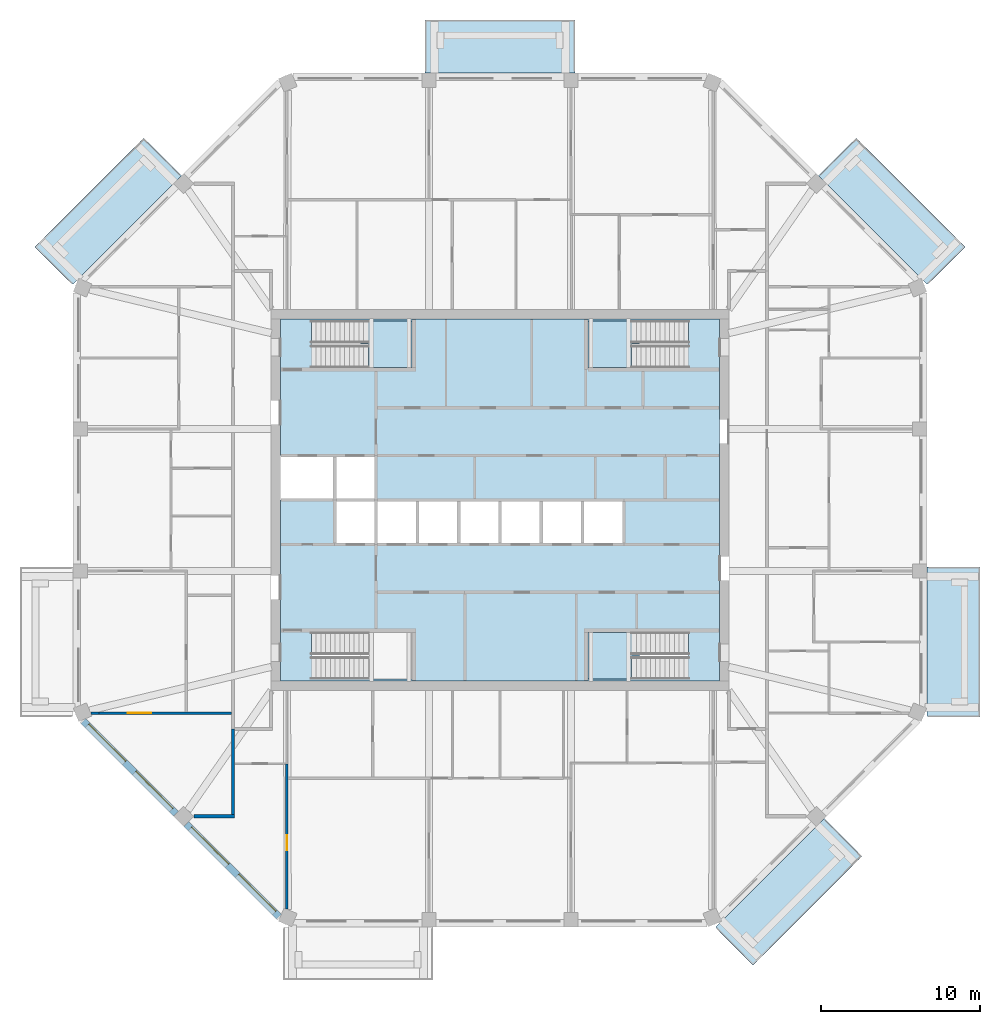
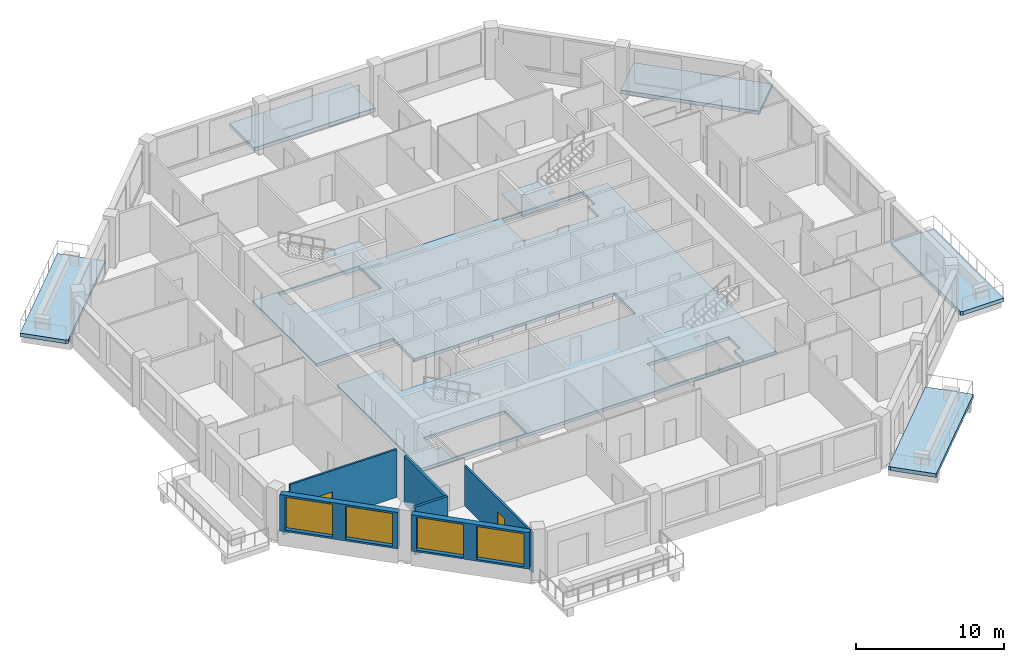
# One storey, part 2 of 11: 9 slabs, 7 walls, 4 windows, 2 doors, 6 openings, 3 elements without a shape of their own.
"""IFC4 building model written with IfcOpenShell, lengths in metres."""

from ifc_helpers import new_model, si_unit, direction, frame, frame_2d, origin, place, context, subcontext, project, spatial, polyline, rectangle, outline, extrude, material, layer, layer_set, type_object, element, fill, aggregate, save


model = new_model("IFC4")

# Units and contexts
model_context = context("Model", 3, precision=1e-05, world=origin(), true_north=direction((0.0, 1.0)))
body_context = subcontext(model_context, "Body", "Model", "MODEL_VIEW")
ifc_project = project(units=[si_unit("LENGTHUNIT", "METRE"), si_unit("AREAUNIT", "SQUARE_METRE"), si_unit("VOLUMEUNIT", "CUBIC_METRE"), si_unit("PLANEANGLEUNIT", "RADIAN"), si_unit("MASSUNIT", "GRAM", prefix="KILO")], contexts=[model_context])

# Site, building, storey
site_placement = place(None, origin())
site = spatial("IfcSite", under=ifc_project, at=site_placement, CompositionType="ELEMENT")
building_placement = place(site_placement, origin())
building = spatial("IfcBuilding", under=site, at=building_placement, Name="Msitu Wima Residences", CompositionType="ELEMENT")
storey_placement = place(building_placement, frame((0.0, 0.0, 297.89990234375)))
storey = spatial("IfcBuildingStorey", under=building, at=storey_placement, Name="L69", CompositionType="ELEMENT", Elevation=297.89990234375)

# Slabs
ifc_material_1 = material(Name="Concrete C40/50", Category="concrete")
ifc_layer_1 = layer(ifc_material_1, 0.300048828125)
ifc_layer_set_1 = layer_set([ifc_layer_1], Name="Concrete C40/50")
slab_type_1 = type_object("IfcSlabType", Name="Balcony slab BS300", PredefinedType="FLOOR", material=ifc_layer_set_1)
slab_1_placement = place(storey_placement, frame((0.0, 0.0, -0.2998046875)))
element("IfcSlab", 1, at=slab_1_placement, inside=storey, type_object=slab_type_1, Name="Balcony E0 L69", PredefinedType="FLOOR", context=body_context, shape_type="SweptSolid", body=[
    extrude(outline(polyline([(26.85009765625, -13.105224609375), (26.85009765625, -13.105224609375), (26.85009765625, -4.918701171875), (26.85009765625, -4.21875), (30.199951171875, -4.21875), (30.199951171875, -13.656005859375), (27.003662109375, -13.656005859375), (26.85009765625, -13.59228515625), (26.85009765625, -13.105224609375), (26.85009765625, -13.105224609375)])), origin(), (0.0, 0.0, 1.0), 0.2998046875),
])
slab_2_placement = place(storey_placement, frame((0.0, 0.0, -0.2998046875)))
element("IfcSlab", 2, at=slab_2_placement, inside=storey, type_object=slab_type_1, Name="Balcony NE0 L69", PredefinedType="FLOOR", context=body_context, shape_type="SweptSolid", body=[
    extrude(outline(polyline([(26.505615234375, 13.936767578125), (26.505615234375, 13.936767578125), (20.04443359375, 20.39794921875), (22.4130859375, 22.766845703125), (29.263671875, 15.916015625), (27.003662109375, 13.656005859375), (26.85009765625, 13.59228515625), (26.505615234375, 13.936767578125), (26.505615234375, 13.936767578125)])), origin(), (0.0, 0.0, 1.0), 0.2998046875),
])
slab_3_placement = place(storey_placement, frame((0.0, 0.0, -0.2998046875)))
element("IfcSlab", 3, at=slab_3_placement, inside=storey, type_object=slab_type_1, Name="Balcony N1 L69", PredefinedType="FLOOR", context=body_context, shape_type="SweptSolid", body=[
    extrude(outline(polyline([(4.0185546875, 26.85009765625), (-4.0185546875, 26.85009765625), (-4.71875, 26.85009765625), (-4.71875, 30.199951171875), (4.71875, 30.199951171875), (4.71875, 26.85009765625), (4.0185546875, 26.85009765625)])), origin(), (0.0, 0.0, 1.0), 0.2998046875),
])
slab_4_placement = place(storey_placement, frame((0.0, 0.0, -0.2998046875)))
element("IfcSlab", 4, at=slab_4_placement, inside=storey, type_object=slab_type_1, Name="Balcony NW1 L69", PredefinedType="FLOOR", context=body_context, shape_type="SweptSolid", body=[
    extrude(outline(polyline([(-26.505615234375, 13.936767578125), (-26.505615234375, 13.936767578125), (-26.85009765625, 13.59228515625), (-27.003662109375, 13.656005859375), (-29.263671875, 15.916015625), (-22.4130859375, 22.766845703125), (-20.04443359375, 20.39794921875), (-26.505615234375, 13.936767578125), (-26.505615234375, 13.936767578125)])), origin(), (0.0, 0.0, 1.0), 0.2998046875),
])
slab_5_placement = place(storey_placement, frame((0.0, 0.0, -0.2998046875)))
element("IfcSlab", 5, at=slab_5_placement, inside=storey, type_object=slab_type_1, Name="Balcony SE0 L69", PredefinedType="FLOOR", context=body_context, shape_type="SweptSolid", body=[
    extrude(outline(polyline([(13.936767578125, -26.505615234375), (13.936767578125, -26.505615234375), (20.39794921875, -20.04443359375), (22.766845703125, -22.4130859375), (15.916015625, -29.263671875), (13.656005859375, -27.003662109375), (13.59228515625, -26.85009765625), (13.936767578125, -26.505615234375), (13.936767578125, -26.505615234375)])), origin(), (0.0, 0.0, 1.0), 0.2998046875),
])
ifc_layer_2 = layer(ifc_material_1, 0.25)
ifc_layer_set_2 = layer_set([ifc_layer_2], Name="Concrete C40/50")
slab_type_2 = type_object("IfcSlabType", Name="Core floor CF250", PredefinedType="FLOOR", material=ifc_layer_set_2)
slab_6_placement = place(storey_placement, frame((0.0, 0.0, -0.25)))
element("IfcSlab", 6, at=slab_6_placement, inside=storey, type_object=slab_type_2, Name="Core floor", PredefinedType="FLOOR", context=body_context, shape_type="SweptSolid", body=[
    extrude(outline(polyline([(-13.800048828125, 11.39990234375), (-13.800048828125, 2.800048828125), (-10.39990234375, 2.800048828125), (-7.800048828125, 2.800048828125), (-7.800048828125, 0.0), (-5.199951171875, 0.0), (-2.60009765625, 0.0), (0.0, 0.0), (2.60009765625, 0.0), (5.199951171875, 0.0), (7.800048828125, 0.0), (7.800048828125, -2.800048828125), (5.199951171875, -2.800048828125), (2.60009765625, -2.800048828125), (0.0, -2.800048828125), (-2.60009765625, -2.800048828125), (-5.199951171875, -2.800048828125), (-7.800048828125, -2.800048828125), (-10.39990234375, -2.800048828125), (-10.39990234375, 0.0), (-13.800048828125, 0.0), (-13.800048828125, -11.39990234375), (13.800048828125, -11.39990234375), (13.800048828125, 11.39990234375), (-13.800048828125, 11.39990234375)]), holes=[polyline([(-11.375, -11.27490234375), (-11.375, -9.875), (-11.87451171875, -9.875), (-11.87451171875, -8.324951171875), (-5.52490234375, -8.324951171875), (-5.52490234375, -11.27490234375), (-11.375, -11.27490234375)]), polyline([(-11.375, 8.324951171875), (-11.375, 9.72509765625), (-11.87451171875, 9.72509765625), (-11.87451171875, 11.27490234375), (-5.52490234375, 11.27490234375), (-5.52490234375, 8.324951171875), (-11.375, 8.324951171875)]), polyline([(11.375, -9.875), (11.375, -11.27490234375), (5.52490234375, -11.27490234375), (5.52490234375, -8.324951171875), (11.87451171875, -8.324951171875), (11.87451171875, -9.875), (11.375, -9.875)]), polyline([(11.375, 9.72509765625), (11.375, 8.324951171875), (5.52490234375, 8.324951171875), (5.52490234375, 11.27490234375), (11.87451171875, 11.27490234375), (11.87451171875, 9.72509765625), (11.375, 9.72509765625)])]), origin(), (0.0, 0.0, 1.0), 0.25),
])

# Stair, slab
stair_type = type_object("IfcStairType", Name="Exit stair ES1615-140", PredefinedType="HALF_TURN_STAIR", material=ifc_material_1)
stair_1_placement = place(storey_placement, origin())
stair_1 = element("IfcStair", 7, at=stair_1_placement, inside=storey, type_object=stair_type, Name="Exit stair 1", PredefinedType="HALF_TURN_STAIR")
ifc_layer_3 = layer(ifc_material_1, 0.199951171875)
ifc_layer_set_3 = layer_set([ifc_layer_3], Name="Concrete C40/50")
slab_type_3 = type_object("IfcSlabType", Name="Stair landing SL200", PredefinedType="LANDING", material=ifc_layer_set_3)
slab_7_placement = place(storey_placement, frame((0.0, 0.0, 1.900146484375)))
slab_7 = element("IfcSlab", 8, at=slab_7_placement, type_object=slab_type_3, Name="S1 landing 1", PredefinedType="LANDING", context=body_context, shape_type="SweptSolid", body=[
    extrude(outline(polyline([(-5.52490234375, 8.324951171875), (-8.275390625, 8.324951171875), (-8.275390625, 9.800048828125), (-8.77490234375, 9.800048828125), (-8.77490234375, 11.27490234375), (-5.52490234375, 11.27490234375), (-5.52490234375, 8.324951171875)])), origin(), (0.0, 0.0, 1.0), 0.199951171875),
])
aggregate(stair_1, [slab_7])

stair_2_placement = place(storey_placement, origin())
stair_2 = element("IfcStair", 9, at=stair_2_placement, inside=storey, type_object=stair_type, Name="Exit stair 3", PredefinedType="HALF_TURN_STAIR")
slab_8_placement = place(storey_placement, frame((0.0, 0.0, 1.900146484375)))
slab_8 = element("IfcSlab", 10, at=slab_8_placement, type_object=slab_type_3, Name="S3 landing 1", PredefinedType="LANDING", context=body_context, shape_type="SweptSolid", body=[
    extrude(outline(polyline([(5.52490234375, 8.324951171875), (8.275390625, 8.324951171875), (8.275390625, 9.800048828125), (8.77490234375, 9.800048828125), (8.77490234375, 11.27490234375), (5.52490234375, 11.27490234375), (5.52490234375, 8.324951171875)])), origin(), (0.0, 0.0, 1.0), 0.199951171875),
])
aggregate(stair_2, [slab_8])

stair_3_placement = place(storey_placement, origin())
stair_3 = element("IfcStair", 11, at=stair_3_placement, inside=storey, type_object=stair_type, Name="Exit stair 4", PredefinedType="HALF_TURN_STAIR")
slab_9_placement = place(storey_placement, frame((0.0, 0.0, 1.900146484375)))
slab_9 = element("IfcSlab", 12, at=slab_9_placement, type_object=slab_type_3, Name="S4 landing 1", PredefinedType="LANDING", context=body_context, shape_type="SweptSolid", body=[
    extrude(outline(polyline([(5.52490234375, -11.27490234375), (8.275390625, -11.27490234375), (8.275390625, -9.800048828125), (8.77490234375, -9.800048828125), (8.77490234375, -8.324951171875), (5.52490234375, -8.324951171875), (5.52490234375, -11.27490234375)])), origin(), (0.0, 0.0, 1.0), 0.199951171875),
])
aggregate(stair_3, [slab_9])

# Wall, openings, windows
ifc_material_2 = material(Name="Brick (red buff mix)", Category="masonry")
ifc_layer_4 = layer(ifc_material_2, 0.449951171875)
ifc_layer_set_4 = layer_set([ifc_layer_4], Name="Brick (red buff mix)")
wall_type_1 = type_object("IfcWallType", Name="Brick infill wall BW450", PredefinedType="SOLIDWALL", material=ifc_layer_set_4)
wall_1_placement = place(storey_placement, frame((-26.214599609375, -13.909423828125, 0.900146484375), z_axis=(0.0, 0.0, 1.0), x_axis=(0.707106781187, -0.707106781187, 0.0)))
wall_1 = element("IfcWall", 13, at=wall_1_placement, inside=storey, type_object=wall_type_1, Name="Brick infill wall L69 SW0", PredefinedType="SOLIDWALL", context=body_context, shape_type="SweptSolid", body=[
    extrude(rectangle(XDim=8.251220703125, YDim=0.449951171875, at=frame_2d((4.12548828125, 0.0))), origin(), (0.0, 0.0, 1.0), 3.0),
])
opening_1_placement = place(wall_1_placement, frame((0.37548828125, 0.0, 0.14990234375)))
opening_1 = element("IfcOpeningElement", 14, at=opening_1_placement, cuts=wall_1, Name="Opening W68-70.025", PredefinedType="OPENING", context=body_context, shape_type="SweptSolid", body=[
    extrude(rectangle(XDim=3.300048828125, YDim=2.699951171875, at=frame_2d((1.64990234375, 1.35009765625))), frame((0.0, 0.23486328125, 0.0), z_axis=(0.0, -1.0, 0.0), x_axis=(1.0, 0.0, 0.0)), (0.0, 0.0, 1.0), 0.469970703125),
])
opening_2_placement = place(wall_1_placement, frame((4.57568359375, 0.0, 0.14990234375)))
opening_2 = element("IfcOpeningElement", 15, at=opening_2_placement, cuts=wall_1, Name="Opening W68-70.026", PredefinedType="OPENING", context=body_context, shape_type="SweptSolid", body=[
    extrude(rectangle(XDim=3.300048828125, YDim=2.699951171875, at=frame_2d((1.64990234375, 1.35009765625))), frame((0.0, 0.23486328125, 0.0), z_axis=(0.0, -1.0, 0.0), x_axis=(1.0, 0.0, 0.0)), (0.0, 0.0, 1.0), 0.469970703125),
])
ifc_material_3 = material(Name="Anodised aluminium, bronze finish, clear low-emissivity double glazing", Category="aluminium")
window_type = type_object("IfcWindowType", Name="Window W3300x2700", PartitioningType="DOUBLE_PANEL_VERTICAL", PredefinedType="WINDOW", material=ifc_material_3)
window_1_placement = place(opening_1_placement, origin())
window_1 = element("IfcWindow", 16, at=window_1_placement, inside=storey, type_object=window_type, Name="Window L69 SW0.1", OverallHeight=2.699951171875, OverallWidth=3.300048828125, PartitioningType="SINGLE_PANEL", PredefinedType="WINDOW", context=body_context, shape_type="SweptSolid", body=[
    extrude(rectangle(XDim=3.300048828125, YDim=2.699951171875, at=frame_2d((1.64990234375, 1.35009765625))), frame((0.0, 0.135009765625, 0.0), z_axis=(0.0, -1.0, 0.0), x_axis=(1.0, 0.0, 0.0)), (0.0, 0.0, 1.0), 0.06005859375),
])
fill(opening_1, window_1)
window_2_placement = place(opening_2_placement, origin())
window_2 = element("IfcWindow", 17, at=window_2_placement, inside=storey, type_object=window_type, Name="Window L69 SW0.2", OverallHeight=2.699951171875, OverallWidth=3.300048828125, PartitioningType="SINGLE_PANEL", PredefinedType="WINDOW", context=body_context, shape_type="SweptSolid", body=[
    extrude(rectangle(XDim=3.300048828125, YDim=2.699951171875, at=frame_2d((1.64990234375, 1.35009765625))), frame((0.0, 0.135009765625, 0.0), z_axis=(0.0, -1.0, 0.0), x_axis=(1.0, 0.0, 0.0)), (0.0, 0.0, 1.0), 0.06005859375),
])
fill(opening_2, window_2)

wall_2_placement = place(storey_placement, frame((-19.743896484375, -20.380126953125, 0.900146484375), z_axis=(0.0, 0.0, 1.0), x_axis=(0.707106781187, -0.707106781187, 0.0)))
wall_2 = element("IfcWall", 18, at=wall_2_placement, inside=storey, type_object=wall_type_1, Name="Brick infill wall L69 SW1", PredefinedType="SOLIDWALL", context=body_context, shape_type="SweptSolid", body=[
    extrude(rectangle(XDim=8.251220703125, YDim=0.449951171875, at=frame_2d((4.12548828125, 0.0))), origin(), (0.0, 0.0, 1.0), 3.0),
])
opening_3_placement = place(wall_2_placement, frame((0.37548828125, 0.0, 0.14990234375)))
opening_3 = element("IfcOpeningElement", 19, at=opening_3_placement, cuts=wall_2, Name="Opening W68-70.027", PredefinedType="OPENING", context=body_context, shape_type="SweptSolid", body=[
    extrude(rectangle(XDim=3.300048828125, YDim=2.699951171875, at=frame_2d((1.64990234375, 1.35009765625))), frame((0.0, 0.23486328125, 0.0), z_axis=(0.0, -1.0, 0.0), x_axis=(1.0, 0.0, 0.0)), (0.0, 0.0, 1.0), 0.469970703125),
])
opening_4_placement = place(wall_2_placement, frame((4.57568359375, 0.0, 0.14990234375)))
opening_4 = element("IfcOpeningElement", 20, at=opening_4_placement, cuts=wall_2, Name="Opening W68-70.028", PredefinedType="OPENING", context=body_context, shape_type="SweptSolid", body=[
    extrude(rectangle(XDim=3.300048828125, YDim=2.699951171875, at=frame_2d((1.64990234375, 1.35009765625))), frame((0.0, 0.23486328125, 0.0), z_axis=(0.0, -1.0, 0.0), x_axis=(1.0, 0.0, 0.0)), (0.0, 0.0, 1.0), 0.469970703125),
])
window_3_placement = place(opening_3_placement, origin())
window_3 = element("IfcWindow", 21, at=window_3_placement, inside=storey, type_object=window_type, Name="Window L69 SW1.1", OverallHeight=2.699951171875, OverallWidth=3.300048828125, PartitioningType="SINGLE_PANEL", PredefinedType="WINDOW", context=body_context, shape_type="SweptSolid", body=[
    extrude(rectangle(XDim=3.300048828125, YDim=2.699951171875, at=frame_2d((1.64990234375, 1.35009765625))), frame((0.0, 0.135009765625, 0.0), z_axis=(0.0, -1.0, 0.0), x_axis=(1.0, 0.0, 0.0)), (0.0, 0.0, 1.0), 0.06005859375),
])
fill(opening_3, window_3)
window_4_placement = place(opening_4_placement, origin())
window_4 = element("IfcWindow", 22, at=window_4_placement, inside=storey, type_object=window_type, Name="Window L69 SW1.2", OverallHeight=2.699951171875, OverallWidth=3.300048828125, PartitioningType="SINGLE_PANEL", PredefinedType="WINDOW", context=body_context, shape_type="SweptSolid", body=[
    extrude(rectangle(XDim=3.300048828125, YDim=2.699951171875, at=frame_2d((1.64990234375, 1.35009765625))), frame((0.0, 0.135009765625, 0.0), z_axis=(0.0, -1.0, 0.0), x_axis=(1.0, 0.0, 0.0)), (0.0, 0.0, 1.0), 0.06005859375),
])
fill(opening_4, window_4)

# Wall
ifc_material_4 = material(Name="Plaster")
ifc_layer_5 = layer(ifc_material_4, 0.011962890625, Name="Plaster")
ifc_material_5 = material(Name="Concrete blockwork", Category="masonry")
ifc_layer_6 = layer(ifc_material_5, 0.1259765625, Name="Concrete blockwork")
ifc_layer_7 = layer(ifc_material_4, 0.011962890625, Name="Plaster")
ifc_layer_set_5 = layer_set([ifc_layer_5, ifc_layer_6, ifc_layer_7], Name="Concrete blockwork")
wall_type_2 = type_object("IfcWallType", Name="Partition PW150", PredefinedType="PARTITIONING", material=ifc_layer_set_5)
wall_3_placement = place(storey_placement, frame((-25.731201171875, -13.406005859375, 0.0), z_axis=(0.0, 0.0, 1.0), x_axis=(1.0, 0.0, 0.0)))
element("IfcWall", 23, at=wall_3_placement, inside=storey, type_object=wall_type_2, Name="Partition", PredefinedType="PARTITIONING", context=body_context, shape_type="SweptSolid", body=[
    extrude(rectangle(XDim=0.507080078125, YDim=0.14990234375, at=frame_2d((0.25341796875, 0.0))), origin(), (0.0, 0.0, 1.0), 3.35009765625),
])

# Wall, opening, door
wall_4_placement = place(storey_placement, frame((-25.22412109375, -13.406005859375, 0.0), z_axis=(0.0, 0.0, 1.0), x_axis=(1.0, 0.0, 0.0)))
wall_4 = element("IfcWall", 24, at=wall_4_placement, inside=storey, type_object=wall_type_2, Name="Partition", PredefinedType="PARTITIONING", context=body_context, shape_type="SweptSolid", body=[
    extrude(rectangle(XDim=8.32421875, YDim=0.14990234375, at=frame_2d((4.162109375, 0.0))), origin(), (0.0, 0.0, 1.0), 3.9501953125),
])
opening_5_placement = place(wall_4_placement, frame((1.79296875, 0.0, 0.0)))
opening_5 = element("IfcOpeningElement", 25, at=opening_5_placement, cuts=wall_4, Name="Opening D68-70.041", PredefinedType="OPENING", context=body_context, shape_type="SweptSolid", body=[
    extrude(rectangle(XDim=1.5, YDim=2.199951171875, at=frame_2d((0.75, 1.10009765625))), frame((0.0, 0.0849609375, 0.0), z_axis=(0.0, -1.0, 0.0), x_axis=(1.0, 0.0, 0.0)), (0.0, 0.0, 1.0), 0.169921875),
])
ifc_material_6 = material(Name="Timber double door", Category="wood")
door_type_1 = type_object("IfcDoorType", Name="Double door D04 1500x2200", OperationType="DOUBLE_DOOR_SINGLE_SWING", PredefinedType="DOOR", material=ifc_material_6)
door_1_placement = place(opening_5_placement, origin())
door_1 = element("IfcDoor", 26, at=door_1_placement, inside=storey, type_object=door_type_1, Name="Double door", OperationType="DOUBLE_DOOR_SINGLE_SWING", OverallHeight=2.199951171875, OverallWidth=1.5, PredefinedType="DOOR", context=body_context, shape_type="SweptSolid", body=[
    extrude(rectangle(XDim=1.5, YDim=2.199951171875, at=frame_2d((0.75, 1.10009765625))), frame((0.0, 0.02490234375, 0.0), z_axis=(0.0, -1.0, 0.0), x_axis=(1.0, 0.0, 0.0)), (0.0, 0.0, 1.0), 0.050048828125),
])
fill(opening_5, door_1)

wall_5_placement = place(storey_placement, frame((-13.406005859375, -25.731201171875, 0.0), z_axis=(0.0, 0.0, 1.0), x_axis=(0.0, 1.0, 0.0)))
wall_5 = element("IfcWall", 27, at=wall_5_placement, inside=storey, type_object=wall_type_2, Name="Partition", PredefinedType="PARTITIONING", context=body_context, shape_type="SweptSolid", body=[
    extrude(rectangle(XDim=9.131103515625, YDim=0.14990234375, at=frame_2d((4.5654296875, 0.0))), origin(), (0.0, 0.0, 1.0), 3.300048828125),
])
opening_6_placement = place(wall_5_placement, frame((3.699951171875, 0.0, 0.0)))
opening_6 = element("IfcOpeningElement", 28, at=opening_6_placement, cuts=wall_5, Name="Opening D68-70.046", PredefinedType="OPENING", context=body_context, shape_type="SweptSolid", body=[
    extrude(rectangle(XDim=0.949951171875, YDim=2.199951171875, at=frame_2d((0.47509765625, 1.10009765625))), frame((0.0, 0.0849609375, 0.0), z_axis=(0.0, -1.0, 0.0), x_axis=(1.0, 0.0, 0.0)), (0.0, 0.0, 1.0), 0.169921875),
])
ifc_material_7 = material(Name="Timber flush door", Category="wood")
door_type_2 = type_object("IfcDoorType", Name="Room door D12 950x2200", OperationType="SINGLE_SWING_LEFT", PredefinedType="DOOR", material=ifc_material_7)
door_2_placement = place(opening_6_placement, origin())
door_2 = element("IfcDoor", 29, at=door_2_placement, inside=storey, type_object=door_type_2, Name="Room door", OperationType="SINGLE_SWING_RIGHT", OverallHeight=2.199951171875, OverallWidth=0.949951171875, PredefinedType="DOOR", context=body_context, shape_type="SweptSolid", body=[
    extrude(rectangle(XDim=0.949951171875, YDim=2.199951171875, at=frame_2d((0.47509765625, 1.10009765625))), frame((0.0, 0.02490234375, 0.0), z_axis=(0.0, -1.0, 0.0), x_axis=(1.0, 0.0, 0.0)), (0.0, 0.0, 1.0), 0.050048828125),
])
fill(opening_6, door_2)

# Walls
ifc_layer_8 = layer(ifc_material_4, 0.011962890625, Name="Plaster")
ifc_material_8 = material(Name="Dense concrete blockwork", Category="masonry")
ifc_layer_9 = layer(ifc_material_8, 0.176025390625, Name="Dense concrete blockwork")
ifc_layer_10 = layer(ifc_material_4, 0.011962890625, Name="Plaster")
ifc_layer_set_6 = layer_set([ifc_layer_8, ifc_layer_9, ifc_layer_10], Name="Dense concrete blockwork")
wall_type_3 = type_object("IfcWallType", Name="Party wall PW200", PredefinedType="PARTITIONING", material=ifc_layer_set_6)
wall_6_placement = place(storey_placement, frame((-19.2666015625, -19.90283203125, 0.0), z_axis=(0.0, 0.0, 1.0), x_axis=(1.0, 0.0, 0.0)))
element("IfcWall", 30, at=wall_6_placement, inside=storey, type_object=wall_type_3, Name="Party wall", PredefinedType="PARTITIONING", context=body_context, shape_type="SweptSolid", body=[
    extrude(rectangle(XDim=2.566650390625, YDim=0.199951171875, at=frame_2d((1.283203125, 0.0))), origin(), (0.0, 0.0, 1.0), 3.9501953125),
])
wall_7_placement = place(storey_placement, frame((-16.800048828125, -19.802978515625, 0.0), z_axis=(0.0, 0.0, 1.0), x_axis=(0.0, 1.0, 0.0)))
element("IfcWall", 31, at=wall_7_placement, inside=storey, type_object=wall_type_3, Name="Party wall", PredefinedType="PARTITIONING", context=body_context, shape_type="SweptSolid", body=[
    extrude(rectangle(XDim=5.403076171875, YDim=0.199951171875, at=frame_2d((2.70166015625, 0.0))), origin(), (0.0, 0.0, 1.0), 3.9501953125),
])

save(model, "model.ifc")
